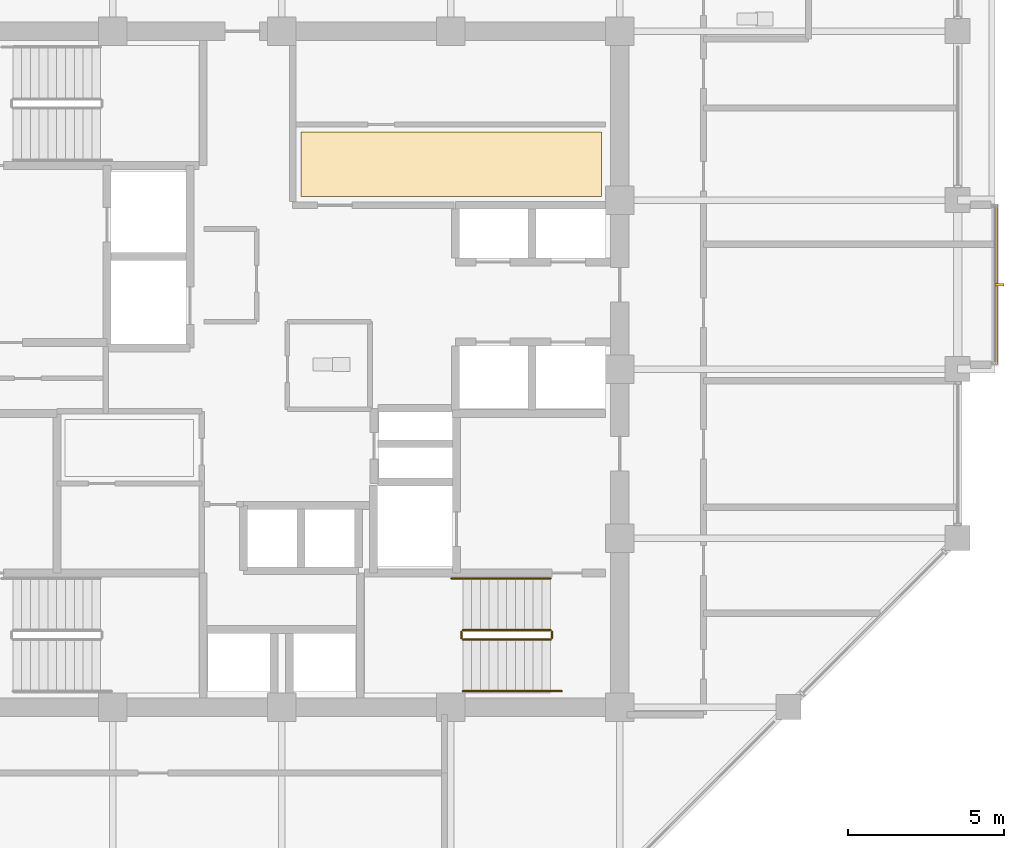
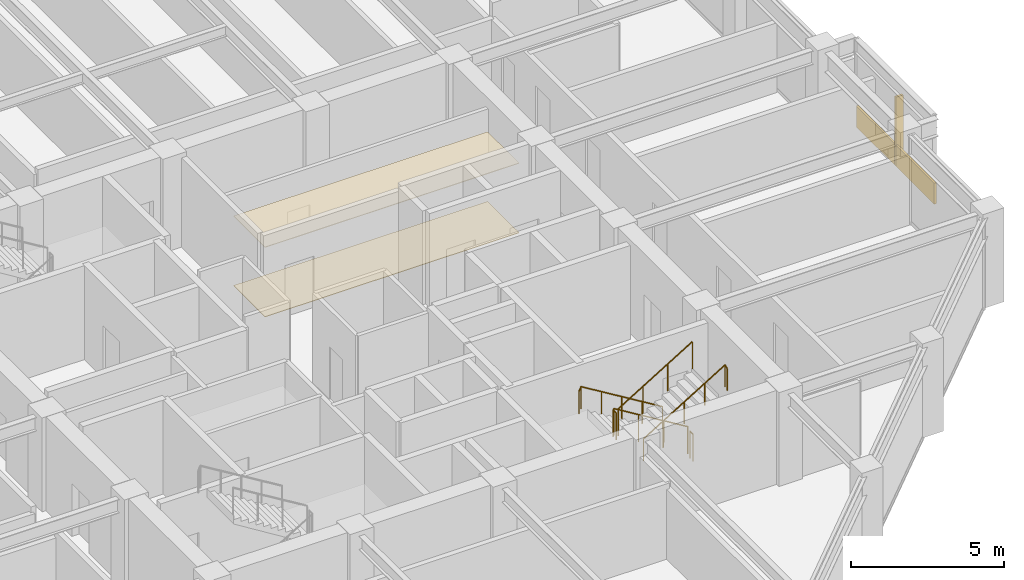
# One storey, part 27 of 28: 6 railings, 3 coverings, 1 shading device.
"""IFC4 building model written with IfcOpenShell, lengths in metres."""

from ifc_helpers import new_model, si_unit, direction, frame, origin, origin_2d, place, context, subcontext, project, spatial, polyline, rectangle, circle, outline, extrude, material, layer, layer_set, type_object, element, save


model = new_model("IFC4")

# Units and contexts
model_context = context("Model", 3, precision=1e-05, world=origin(), true_north=direction((0.0, 1.0)))
body_context = subcontext(model_context, "Body", "Model", "MODEL_VIEW")
ifc_project = project(units=[si_unit("LENGTHUNIT", "METRE"), si_unit("AREAUNIT", "SQUARE_METRE"), si_unit("VOLUMEUNIT", "CUBIC_METRE"), si_unit("PLANEANGLEUNIT", "RADIAN"), si_unit("MASSUNIT", "GRAM", prefix="KILO")], contexts=[model_context])

# Site, building, storey
site_placement = place(None, origin())
site = spatial("IfcSite", under=ifc_project, at=site_placement, CompositionType="ELEMENT")
building_placement = place(site_placement, origin())
building = spatial("IfcBuilding", under=site, at=building_placement, Name="Surkhivell Harbour Commons", CompositionType="ELEMENT")
storey_placement = place(building_placement, frame((0.0, 0.0, 238.5)))
storey = spatial("IfcBuildingStorey", under=building, at=storey_placement, Name="L62", CompositionType="ELEMENT", Elevation=238.5)

# Coverings
ifc_material_1 = material(Name="Perforated acoustic mineral-fibre ceiling tile", Category="other")
ifc_layer_1 = layer(ifc_material_1, 0.02490234375)
ifc_layer_set_1 = layer_set([ifc_layer_1], Name="Perforated acoustic mineral-fibre ceiling tile")
covering_type_1 = type_object("IfcCoveringType", Name="COV-CEIL-AC", PredefinedType="CEILING", material=ifc_layer_set_1)
covering_1_placement = place(storey_placement, frame((0.0, 0.0, 2.77490234375)))
element("IfcCovering", 1, at=covering_1_placement, inside=storey, type_object=covering_type_1, Name="L62 Suspended Acoustic Ceiling 1", PredefinedType="CEILING", context=body_context, shape_type="SweptSolid", body=[
    extrude(outline(polyline([(0.6201171875, 5.52001953125), (10.219970703125, 5.52001953125), (10.219970703125, 7.580078125), (0.6201171875, 7.580078125), (0.6201171875, 5.52001953125)])), origin(), (0.0, 0.0, 1.0), 0.025146484375),
])
ifc_material_2 = material(Name="Cobalt-azure enamelled aluminium cassette panel", Category="aluminium")
ifc_layer_2 = layer(ifc_material_2, 0.072021484375)
ifc_layer_set_2 = layer_set([ifc_layer_2], Name="Cobalt-azure enamelled aluminium cassette panel")
covering_type_2 = type_object("IfcCoveringType", Name="COV-CLAD-COB", PredefinedType="CLADDING", material=ifc_layer_set_2)
covering_2_placement = place(storey_placement, frame((22.840087890625, 2.699951171875, 0.0), z_axis=(0.0, 0.0, 1.0), x_axis=(1.0, 0.0, 0.0)))
element("IfcCovering", 2, at=covering_2_placement, inside=storey, type_object=covering_type_2, Name="L62 Coloured-Panel Box Spandrel Cassette 01", PredefinedType="CLADDING", context=body_context, shape_type="SweptSolid", body=[
    extrude(rectangle(XDim=0.080078125, YDim=5.10009765625, at=origin_2d()), origin(), (0.0, 0.0, 1.0), 0.840087890625),
])
ifc_material_3 = material(Name="Engineered acoustic oak timber flooring", Category="wood")
ifc_layer_3 = layer(ifc_material_3, 0.02001953125)
ifc_layer_set_3 = layer_set([ifc_layer_3], Name="Engineered acoustic oak timber flooring")
covering_type_3 = type_object("IfcCoveringType", Name="COV-FLR-TIM", PredefinedType="FLOORING", material=ifc_layer_set_3)
covering_3_placement = place(storey_placement, origin())
element("IfcCovering", 3, at=covering_3_placement, inside=storey, type_object=covering_type_3, Name="L62 Interior Floor Finish 1", PredefinedType="FLOORING", context=body_context, shape_type="SweptSolid", body=[
    extrude(outline(polyline([(0.6201171875, 5.52001953125), (10.219970703125, 5.52001953125), (10.219970703125, 7.580078125), (0.6201171875, 7.580078125), (0.6201171875, 5.52001953125)])), origin(), (0.0, 0.0, 1.0), 0.02001953125),
])

# Railings
ifc_material_4 = material(Name="Galvanised and painted steel S355 guard rail", Category="steel")
railing_type_1 = type_object("IfcRailingType", Name="RAL-ST-GRD1100", PredefinedType="GUARDRAIL", material=ifc_material_4)
railing_1_placement = place(storey_placement, frame((8.590087890625, -8.340087890625, 0.17041015625)))
element("IfcRailing", 4, at=railing_1_placement, inside=storey, type_object=railing_type_1, Name="L62 ST2 stair guard 1", PredefinedType="GUARDRAIL", context=body_context, shape_type="SweptSolid", body=[
    extrude(circle(Radius=0.02392578125, at=origin_2d()), frame((0.0, 0.0, 1.076171875), z_axis=(-0.854169791009, 0.0, 0.51999420009), x_axis=(0.0, -1.0, 0.0)), (0.0, 0.0, 1.0), 3.278076171875),
    extrude(circle(Radius=0.02099609375, at=origin_2d()), origin(), (0.0, 0.0, 1.0), 1.052001953125),
    extrude(circle(Radius=0.02099609375, at=origin_2d()), frame((-0.933349609375, 0.0, 0.568115234375)), (0.0, 0.0, 1.0), 1.052001953125),
    extrude(circle(Radius=0.02099609375, at=origin_2d()), frame((-1.86669921875, 0.0, 1.136474609375)), (0.0, 0.0, 1.0), 1.052001953125),
    extrude(circle(Radius=0.02099609375, at=origin_2d()), frame((-2.800048828125, 0.0, 1.70458984375)), (0.0, 0.0, 1.0), 1.052001953125),
])
railing_2_placement = place(storey_placement, frame((5.739990234375, -8.389892578125, 1.875)))
element("IfcRailing", 5, at=railing_2_placement, inside=storey, type_object=railing_type_1, Name="L62 ST2 stair guard 2", PredefinedType="GUARDRAIL", context=body_context, shape_type="SweptSolid", body=[
    extrude(circle(Radius=0.02392578125, at=origin_2d()), frame((0.0, 0.0, 1.076171875), z_axis=(0.0, -1.0, 0.0), x_axis=(1.0, 0.0, 0.0)), (0.0, 0.0, 1.0), 0.2001953125),
    extrude(circle(Radius=0.02099609375, at=origin_2d()), origin(), (0.0, 0.0, 1.0), 1.052001953125),
    extrude(circle(Radius=0.02099609375, at=origin_2d()), frame((0.0, -0.2001953125, 0.0)), (0.0, 0.0, 1.0), 1.052001953125),
])
railing_3_placement = place(storey_placement, frame((5.7900390625, -8.639892578125, 2.04541015625)))
element("IfcRailing", 6, at=railing_3_placement, inside=storey, type_object=railing_type_1, Name="L62 ST2 stair guard 3", PredefinedType="GUARDRAIL", context=body_context, shape_type="SweptSolid", body=[
    extrude(circle(Radius=0.02392578125, at=origin_2d()), frame((0.0, 0.0, 1.076171875), z_axis=(0.854169791009, 0.0, 0.51999420009), x_axis=(0.0, 1.0, 0.0)), (0.0, 0.0, 1.0), 3.278076171875),
    extrude(circle(Radius=0.02099609375, at=origin_2d()), origin(), (0.0, 0.0, 1.0), 1.052001953125),
    extrude(circle(Radius=0.02099609375, at=origin_2d()), frame((0.933349609375, 0.0, 0.568115234375)), (0.0, 0.0, 1.0), 1.052001953125),
    extrude(circle(Radius=0.02099609375, at=origin_2d()), frame((1.86669921875, 0.0, 1.136474609375)), (0.0, 0.0, 1.0), 1.052001953125),
    extrude(circle(Radius=0.02099609375, at=origin_2d()), frame((2.800048828125, 0.0, 1.70458984375)), (0.0, 0.0, 1.0), 1.052001953125),
])
railing_4_placement = place(storey_placement, frame((8.639892578125, -8.389892578125, 0.0)))
element("IfcRailing", 7, at=railing_4_placement, inside=storey, type_object=railing_type_1, Name="L62 ST2 stair guard 4", PredefinedType="GUARDRAIL", context=body_context, shape_type="SweptSolid", body=[
    extrude(circle(Radius=0.02392578125, at=origin_2d()), frame((0.0, 0.0, 1.076171875), z_axis=(0.0, -1.0, 0.0), x_axis=(1.0, 0.0, 0.0)), (0.0, 0.0, 1.0), 0.2001953125),
    extrude(circle(Radius=0.02099609375, at=origin_2d()), origin(), (0.0, 0.0, 1.0), 1.052001953125),
    extrude(circle(Radius=0.02099609375, at=origin_2d()), frame((0.0, -0.2001953125, 0.0)), (0.0, 0.0, 1.0), 1.052001953125),
])
ifc_material_5 = material(Name="Brushed stainless steel S355 handrail", Category="steel")
railing_type_2 = type_object("IfcRailingType", Name="RAL-ST-HND900", PredefinedType="HANDRAIL", material=ifc_material_5)
railing_5_placement = place(storey_placement, frame((8.590087890625, -6.68994140625, 0.17041015625)))
element("IfcRailing", 8, at=railing_5_placement, inside=storey, type_object=railing_type_2, Name="L62 ST2 stair handrail 1", PredefinedType="HANDRAIL", context=body_context, shape_type="SweptSolid", body=[
    extrude(circle(Radius=0.02392578125, at=origin_2d()), frame((0.0, 0.0, 0.8759765625), z_axis=(-0.854177636135, 0.0, 0.519981313056), x_axis=(0.0, -1.0, 0.0)), (0.0, 0.0, 1.0), 3.60595703125),
    extrude(circle(Radius=0.02392578125, at=origin_2d()), frame((-3.080078125, 0.0, 2.7509765625), z_axis=(-0.425297416671, 0.0, -0.905053648892), x_axis=(0.0, -1.0, 0.0)), (0.0, 0.0, 1.0), 0.188232421875),
    extrude(circle(Radius=0.02099609375, at=origin_2d()), origin(), (0.0, 0.0, 1.0), 0.851806640625),
    extrude(circle(Radius=0.02099609375, at=origin_2d()), frame((-0.77001953125, 0.0, 0.46875)), (0.0, 0.0, 1.0), 0.851806640625),
    extrude(circle(Radius=0.02099609375, at=origin_2d()), frame((-1.5400390625, 0.0, 0.9375)), (0.0, 0.0, 1.0), 0.851806640625),
    extrude(circle(Radius=0.02099609375, at=origin_2d()), frame((-2.31005859375, 0.0, 1.40625)), (0.0, 0.0, 1.0), 0.851806640625),
    extrude(circle(Radius=0.02099609375, at=origin_2d()), frame((-3.080078125, 0.0, 1.875)), (0.0, 0.0, 1.0), 0.851806640625),
    extrude(circle(Radius=0.02099609375, at=origin_2d()), frame((-3.16015625, 0.0, 1.70458984375)), (0.0, 0.0, 1.0), 0.851806640625),
])
railing_6_placement = place(storey_placement, frame((5.7900390625, -10.2900390625, 2.04541015625)))
element("IfcRailing", 9, at=railing_6_placement, inside=storey, type_object=railing_type_2, Name="L62 ST2 stair handrail 2", PredefinedType="HANDRAIL", context=body_context, shape_type="SweptSolid", body=[
    extrude(circle(Radius=0.02392578125, at=origin_2d()), frame((0.0, 0.0, 0.8759765625), z_axis=(0.854177636135, 0.0, 0.519981313056), x_axis=(0.0, 1.0, 0.0)), (0.0, 0.0, 1.0), 3.60595703125),
    extrude(circle(Radius=0.02392578125, at=origin_2d()), frame((3.080078125, 0.0, 2.7509765625), z_axis=(0.424234432967, 0.0, -0.905552398199), x_axis=(0.0, 1.0, 0.0)), (0.0, 0.0, 1.0), 0.188232421875),
    extrude(circle(Radius=0.02099609375, at=origin_2d()), origin(), (0.0, 0.0, 1.0), 0.851806640625),
    extrude(circle(Radius=0.02099609375, at=origin_2d()), frame((0.77001953125, 0.0, 0.46875)), (0.0, 0.0, 1.0), 0.851806640625),
    extrude(circle(Radius=0.02099609375, at=origin_2d()), frame((1.5400390625, 0.0, 0.9375)), (0.0, 0.0, 1.0), 0.851806640625),
    extrude(circle(Radius=0.02099609375, at=origin_2d()), frame((2.31005859375, 0.0, 1.40625)), (0.0, 0.0, 1.0), 0.851806640625),
    extrude(circle(Radius=0.02099609375, at=origin_2d()), frame((3.080078125, 0.0, 1.875)), (0.0, 0.0, 1.0), 0.851806640625),
    extrude(circle(Radius=0.02099609375, at=origin_2d()), frame((3.159912109375, 0.0, 1.70458984375)), (0.0, 0.0, 1.0), 0.851806640625),
])

# Shading device
ifc_material_6 = material(Name="Champagne anodised aluminium solar fin", Category="aluminium")
shading_device_type = type_object("IfcShadingDeviceType", Name="SHD-FIN-SLIM", PredefinedType="USERDEFINED", material=ifc_material_6)
shading_device_placement = place(storey_placement, frame((22.93994140625, 2.699951171875, 0.0048828125), z_axis=(0.0, 0.0, 1.0), x_axis=(1.0, 0.0, 0.0)))
element("IfcShadingDevice", 10, at=shading_device_placement, inside=storey, type_object=shading_device_type, Name="L62 Coloured-Box Solar Fin 01", ObjectType="FIN", PredefinedType="USERDEFINED", context=body_context, shape_type="SweptSolid", body=[
    extrude(rectangle(XDim=0.280029296875, YDim=0.080078125, at=origin_2d()), origin(), (0.0, 0.0, 1.0), 2.75),
])

save(model, "model.ifc")
